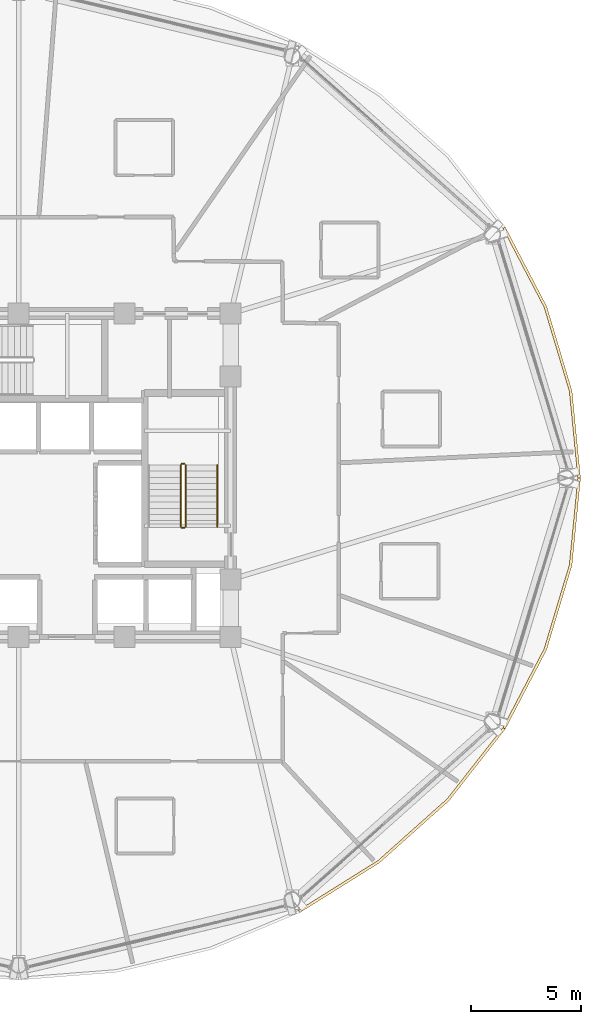
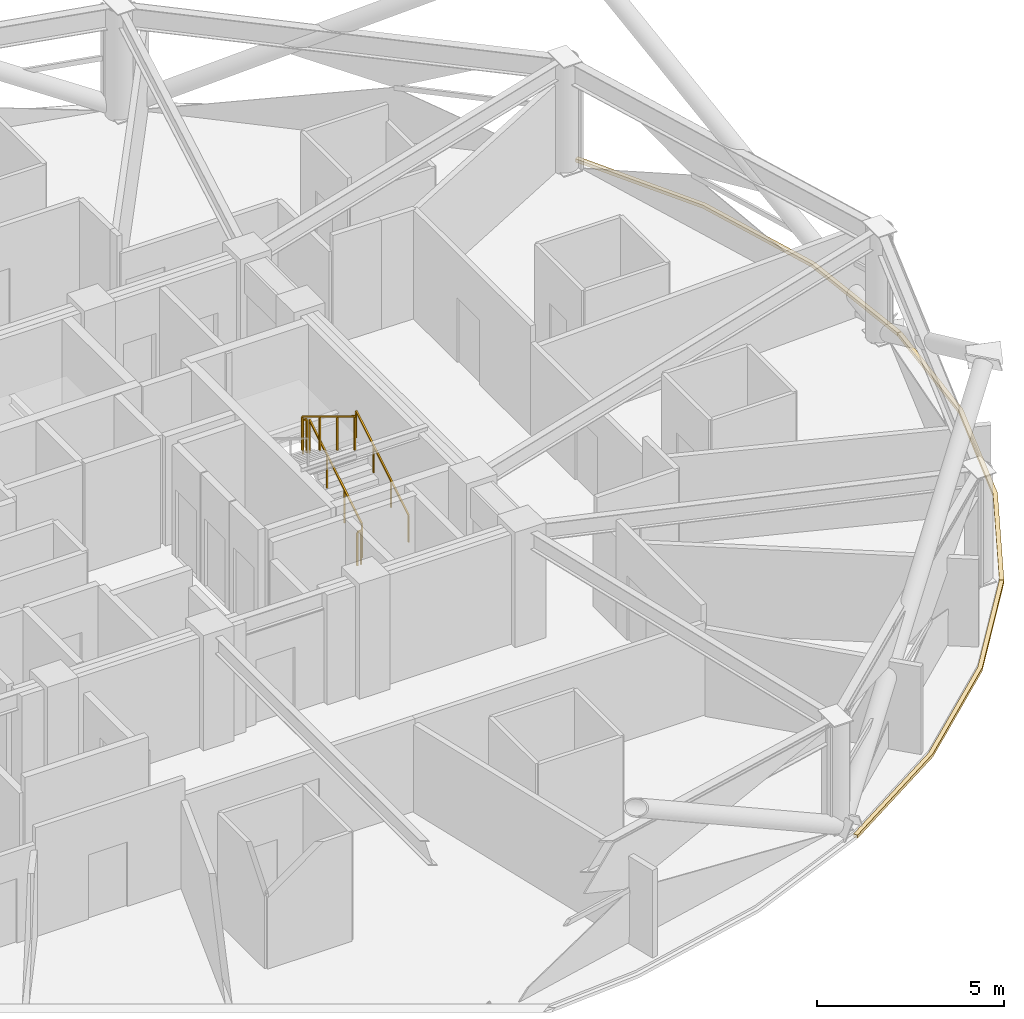
# One storey, part 28 of 29: 5 railings, 3 coverings.
"""IFC4 building model written with IfcOpenShell, lengths in metres."""

from ifc_helpers import new_model, si_unit, direction, frame, origin, origin_2d, place, context, subcontext, project, spatial, polyline, rectangle, outline, extrude, material, layer, layer_set, type_object, element, save


model = new_model("IFC4")

# Units and contexts
model_context = context("Model", 3, precision=1e-05, world=origin(), true_north=direction((0.0, 1.0)))
body_context = subcontext(model_context, "Body", "Model", "MODEL_VIEW")
ifc_project = project(units=[si_unit("LENGTHUNIT", "METRE"), si_unit("AREAUNIT", "SQUARE_METRE"), si_unit("VOLUMEUNIT", "CUBIC_METRE"), si_unit("PLANEANGLEUNIT", "RADIAN"), si_unit("MASSUNIT", "GRAM", prefix="KILO")], contexts=[model_context])

# Site, building, storey
site_placement = place(None, origin())
site = spatial("IfcSite", under=ifc_project, at=site_placement, CompositionType="ELEMENT")
building_placement = place(site_placement, origin())
building = spatial("IfcBuilding", under=site, at=building_placement, Name="Vantalir Tower", CompositionType="ELEMENT")
storey_placement = place(building_placement, frame((0.0, 0.0, 149.699951171875)))
storey = spatial("IfcBuildingStorey", under=building, at=storey_placement, Name="L37", CompositionType="ELEMENT", Elevation=149.699951171875)

# Coverings
ifc_material_1 = material(Name="Anodised champagne aluminium sill fascia", Category="aluminium")
ifc_layer = layer(ifc_material_1, 0.125)
ifc_layer_set = layer_set([ifc_layer], Name="Anodised champagne aluminium sill fascia")
covering_type = type_object("IfcCoveringType", Name="COV-SLAB-FASCIA-125", PredefinedType="CLADDING", material=ifc_layer_set)
covering_1_placement = place(storey_placement, frame((0.0, 0.0, -0.179931640625)))
element("IfcCovering", 1, at=covering_1_placement, inside=storey, type_object=covering_type, Name="L37 Perimeter Slab-Edge Sill Fascia 01", PredefinedType="CLADDING", context=body_context, shape_type="SweptSolid", body=[
    extrude(outline(polyline([(56.9580078125, 25.0), (56.571044921875, 28.948974609375), (55.423095703125, 32.779052734375), (53.547119140625, 36.3720703125), (53.43896484375, 36.30908203125), (55.304931640625, 32.736083984375), (56.447998046875, 28.927978515625), (56.8330078125, 25.0), (56.9580078125, 25.0)])), origin(), (0.0, 0.0, 1.0), 0.10498046875),
])
covering_2_placement = place(storey_placement, frame((0.0, 0.0, -0.179931640625)))
element("IfcCovering", 2, at=covering_2_placement, inside=storey, type_object=covering_type, Name="L37 Perimeter Slab-Edge Sill Fascia 11", PredefinedType="CLADDING", context=body_context, shape_type="SweptSolid", body=[
    extrude(outline(polyline([(44.22900390625, 5.302978515625), (47.864013671875, 7.576904296875), (51.001953125, 10.3798828125), (53.547119140625, 13.6279296875), (53.43896484375, 13.68994140625), (50.906005859375, 10.4609375), (47.783935546875, 7.673095703125), (44.1669921875, 5.410888671875), (44.22900390625, 5.302978515625)])), origin(), (0.0, 0.0, 1.0), 0.10498046875),
])
covering_3_placement = place(storey_placement, frame((0.0, 0.0, -0.179931640625)))
element("IfcCovering", 3, at=covering_3_placement, inside=storey, type_object=covering_type, Name="L37 Perimeter Slab-Edge Sill Fascia 12", PredefinedType="CLADDING", context=body_context, shape_type="SweptSolid", body=[
    extrude(outline(polyline([(53.547119140625, 13.6279296875), (55.423095703125, 17.220947265625), (56.571044921875, 21.051025390625), (56.9580078125, 25.0), (56.8330078125, 25.0), (56.447998046875, 21.072021484375), (55.304931640625, 17.263916015625), (53.43896484375, 13.68994140625), (53.547119140625, 13.6279296875)])), origin(), (0.0, 0.0, 1.0), 0.10498046875),
])

# Railings
ifc_material_2 = material(Name="Anodised aluminium and stainless steel guard", Category="steel")
railing_type_1 = type_object("IfcRailingType", Name="RAL-GUARD-1120", PredefinedType="GUARDRAIL", material=ifc_material_2)
railing_1_placement = place(storey_placement, frame((39.06005859375, 22.7900390625, 0.17041015625)))
element("IfcRailing", 4, at=railing_1_placement, inside=storey, type_object=railing_type_1, Name="L37 ST2 stair guard 1", PredefinedType="GUARDRAIL", context=body_context, shape_type="SweptSolid", body=[
    extrude(rectangle(XDim=0.048095703125, YDim=0.048095703125, at=origin_2d()), frame((0.0, 0.0, 1.09619140625), z_axis=(0.0, 0.854169791009, 0.51999420009), x_axis=(-1.0, 0.0, 0.0)), (0.0, 0.0, 1.0), 3.278076171875),
    extrude(rectangle(XDim=0.0419921875, YDim=0.0419921875, at=origin_2d()), origin(), (0.0, 0.0, 1.0), 1.072021484375),
    extrude(rectangle(XDim=0.0419921875, YDim=0.0419921875, at=origin_2d()), frame((0.0, 0.933349609375, 0.568115234375)), (0.0, 0.0, 1.0), 1.072021484375),
    extrude(rectangle(XDim=0.0419921875, YDim=0.0419921875, at=origin_2d()), frame((0.0, 1.86669921875, 1.136474609375)), (0.0, 0.0, 1.0), 1.072021484375),
    extrude(rectangle(XDim=0.0419921875, YDim=0.0419921875, at=origin_2d()), frame((0.0, 2.800048828125, 1.70458984375)), (0.0, 0.0, 1.0), 1.072021484375),
])
railing_2_placement = place(storey_placement, frame((39.010009765625, 25.639892578125, 1.875)))
element("IfcRailing", 5, at=railing_2_placement, inside=storey, type_object=railing_type_1, Name="L37 ST2 stair guard 2", PredefinedType="GUARDRAIL", context=body_context, shape_type="SweptSolid", body=[
    extrude(rectangle(XDim=0.048095703125, YDim=0.048095703125, at=origin_2d()), frame((0.0, 0.0, 1.09619140625), z_axis=(-1.0, 0.0, 0.0), x_axis=(0.0, -1.0, 0.0)), (0.0, 0.0, 1.0), 0.1201171875),
    extrude(rectangle(XDim=0.0419921875, YDim=0.0419921875, at=origin_2d()), origin(), (0.0, 0.0, 1.0), 1.072021484375),
    extrude(rectangle(XDim=0.0419921875, YDim=0.0419921875, at=origin_2d()), frame((-0.1201171875, 0.0, 0.0)), (0.0, 0.0, 1.0), 1.072021484375),
])
railing_3_placement = place(storey_placement, frame((38.840087890625, 25.590087890625, 2.04541015625)))
element("IfcRailing", 6, at=railing_3_placement, inside=storey, type_object=railing_type_1, Name="L37 ST2 stair guard 3", PredefinedType="GUARDRAIL", context=body_context, shape_type="SweptSolid", body=[
    extrude(rectangle(XDim=0.048095703125, YDim=0.048095703125, at=origin_2d()), frame((0.0, 0.0, 1.09619140625), z_axis=(0.0, -0.854169791009, 0.51999420009), x_axis=(1.0, 0.0, 0.0)), (0.0, 0.0, 1.0), 3.278076171875),
    extrude(rectangle(XDim=0.0419921875, YDim=0.0419921875, at=origin_2d()), origin(), (0.0, 0.0, 1.0), 1.072021484375),
    extrude(rectangle(XDim=0.0419921875, YDim=0.0419921875, at=origin_2d()), frame((0.0, -0.933349609375, 0.568115234375)), (0.0, 0.0, 1.0), 1.072021484375),
    extrude(rectangle(XDim=0.0419921875, YDim=0.0419921875, at=origin_2d()), frame((0.0, -1.86669921875, 1.136474609375)), (0.0, 0.0, 1.0), 1.072021484375),
    extrude(rectangle(XDim=0.0419921875, YDim=0.0419921875, at=origin_2d()), frame((0.0, -2.800048828125, 1.70458984375)), (0.0, 0.0, 1.0), 1.072021484375),
])
railing_4_placement = place(storey_placement, frame((39.010009765625, 22.739990234375, 0.0)))
element("IfcRailing", 7, at=railing_4_placement, inside=storey, type_object=railing_type_1, Name="L37 ST2 stair guard 4", PredefinedType="GUARDRAIL", context=body_context, shape_type="SweptSolid", body=[
    extrude(rectangle(XDim=0.048095703125, YDim=0.048095703125, at=origin_2d()), frame((0.0, 0.0, 1.09619140625), z_axis=(-1.0, 0.0, 0.0), x_axis=(0.0, -1.0, 0.0)), (0.0, 0.0, 1.0), 0.1201171875),
    extrude(rectangle(XDim=0.0419921875, YDim=0.0419921875, at=origin_2d()), origin(), (0.0, 0.0, 1.0), 1.072021484375),
    extrude(rectangle(XDim=0.0419921875, YDim=0.0419921875, at=origin_2d()), frame((-0.1201171875, 0.0, 0.0)), (0.0, 0.0, 1.0), 1.072021484375),
])
ifc_material_3 = material(Name="Brushed stainless steel tubular handrail", Category="steel")
railing_type_2 = type_object("IfcRailingType", Name="RAL-HANDRAIL-900", PredefinedType="HANDRAIL", material=ifc_material_3)
railing_5_placement = place(storey_placement, frame((40.5, 22.7900390625, 0.17041015625)))
element("IfcRailing", 8, at=railing_5_placement, inside=storey, type_object=railing_type_2, Name="L37 ST2 stair handrail 1", PredefinedType="HANDRAIL", context=body_context, shape_type="SweptSolid", body=[
    extrude(rectangle(XDim=0.048095703125, YDim=0.048095703125, at=origin_2d()), frame((0.0, 0.0, 0.8759765625), z_axis=(0.0, 0.854169791009, 0.51999420009), x_axis=(-1.0, 0.0, 0.0)), (0.0, 0.0, 1.0), 3.278076171875),
    extrude(rectangle(XDim=0.0419921875, YDim=0.0419921875, at=origin_2d()), origin(), (0.0, 0.0, 1.0), 0.851806640625),
    extrude(rectangle(XDim=0.0419921875, YDim=0.0419921875, at=origin_2d()), frame((0.0, 0.933349609375, 0.568115234375)), (0.0, 0.0, 1.0), 0.851806640625),
    extrude(rectangle(XDim=0.0419921875, YDim=0.0419921875, at=origin_2d()), frame((0.0, 1.86669921875, 1.136474609375)), (0.0, 0.0, 1.0), 0.851806640625),
    extrude(rectangle(XDim=0.0419921875, YDim=0.0419921875, at=origin_2d()), frame((0.0, 2.800048828125, 1.70458984375)), (0.0, 0.0, 1.0), 0.851806640625),
])

save(model, "model.ifc")
